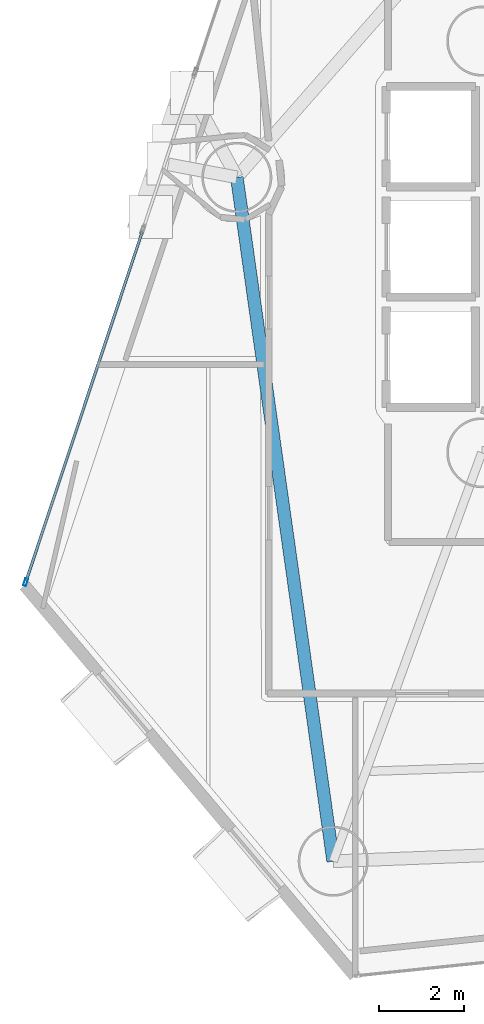
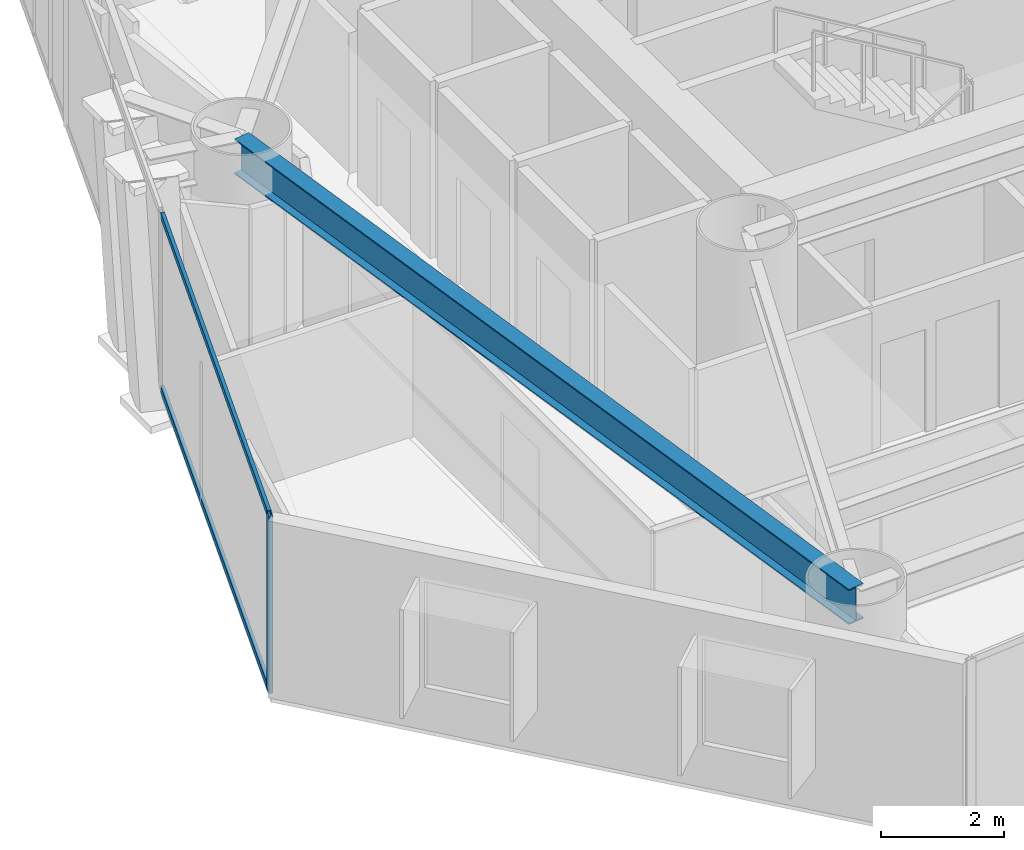
# One storey, part 4 of 23: 3 members, 1 beam, 1 element without a shape of its own.
"""IFC4 building model written with IfcOpenShell, lengths in metres."""

from ifc_helpers import new_model, si_unit, direction, frame, origin, origin_2d, place, context, subcontext, project, spatial, hollow_rectangle, i_section, extrude, material, layer, layer_set, material_profile, profile_set, type_object, element, aggregate, save


model = new_model("IFC4")

# Units and contexts
model_context = context("Model", 3, precision=1e-05, world=origin(), true_north=direction((0.0, 1.0)))
body_context = subcontext(model_context, "Body", "Model", "MODEL_VIEW")
ifc_project = project(units=[si_unit("LENGTHUNIT", "METRE"), si_unit("AREAUNIT", "SQUARE_METRE"), si_unit("VOLUMEUNIT", "CUBIC_METRE"), si_unit("PLANEANGLEUNIT", "RADIAN"), si_unit("MASSUNIT", "GRAM", prefix="KILO")], contexts=[model_context])

# Site, building, storey
site_placement = place(None, origin())
site = spatial("IfcSite", under=ifc_project, at=site_placement, CompositionType="ELEMENT")
building_placement = place(site_placement, origin())
building = spatial("IfcBuilding", under=site, at=building_placement, Name="Qianvela Tower", CompositionType="ELEMENT")
storey_placement = place(building_placement, frame((0.0, 0.0, 67.300048828125)))
storey = spatial("IfcBuildingStorey", under=building, at=storey_placement, Name="L16", CompositionType="ELEMENT", Elevation=67.300048828125)

# Beam
ifc_material_1 = material(Name="Steel Q355B", Category="steel")
ifc_material_profile_1 = material_profile(ifc_material_1, i_section(OverallWidth=0.300048828125, OverallDepth=0.699951171875, WebThickness=0.012939453125, FlangeThickness=0.02392578125, at=origin_2d()), Name="HN700x300x13x24")
ifc_profile_set_1 = profile_set([ifc_material_profile_1], Name="Steel Q355B")
beam_type = type_object("IfcBeamType", Name="BM-HN700-SPAND", PredefinedType="SPANDREL", material=ifc_profile_set_1)
beam_placement = place(storey_placement, frame((22.8291015625, 30.340087890625, 3.16796875), z_axis=(0.139545592864, -0.990215646974, 0.0), x_axis=(0.990215646974, 0.139545592864, 0.0)))
element("IfcBeam", 1, at=beam_placement, inside=storey, type_object=beam_type, Name="L16 Perimeter Ring Spandrel Girder 4", PredefinedType="SPANDREL", context=body_context, shape_type="SweptSolid", body=[
    extrude(i_section(OverallWidth=0.300048828125, OverallDepth=0.699951171875, WebThickness=0.012939453125, FlangeThickness=0.02392578125, at=origin_2d()), origin(), (0.0, 0.0, 1.0), 16.274169921875),
])

# Curtain wall, members
ifc_material_2 = material(Name="Anodised Architectural Aluminium and Low-E Glass", Category="aluminium")
ifc_layer = layer(ifc_material_2, 0.179931640625)
ifc_layer_set = layer_set([ifc_layer], Name="Anodised Architectural Aluminium and Low-E Glass")
curtain_wall_type = type_object("IfcCurtainWallType", Name="CW-COLIV-Z12", PredefinedType="USERDEFINED", material=ifc_layer_set)
curtain_wall_placement = place(storey_placement, origin())
curtain_wall = element("IfcCurtainWall", 2, at=curtain_wall_placement, inside=storey, type_object=curtain_wall_type, Name="L16 CW-COLIV-Z12 Curtain Wall 04C", ObjectType="CURTAIN_WALL_SYSTEM", PredefinedType="USERDEFINED")
ifc_material_3 = material(Name="Anodised Architectural Aluminium 6063-T6", Category="aluminium")
ifc_material_profile_2 = material_profile(ifc_material_3, hollow_rectangle(XDim=0.070068359375, YDim=0.179931640625, WallThickness=0.0048828125, at=origin_2d()), Name="ALU-MULL-70x180")
ifc_profile_set_2 = profile_set([ifc_material_profile_2], Name="Anodised Architectural Aluminium 6063-T6")
member_type_1 = type_object("IfcMemberType", Name="CW-COLIV-Z12-MULL", PredefinedType="MULLION", material=ifc_profile_set_2)
member_1_placement = place(storey_placement, frame((17.85400390625, 20.80078125, 0.0), z_axis=(0.0, 0.0, 1.0), x_axis=(0.948877233383, -0.315645364243, 0.0)))
member_1 = element("IfcMember", 3, at=member_1_placement, type_object=member_type_1, Name="CW-3 mullion 2", PredefinedType="MULLION", context=body_context, shape_type="SweptSolid", body=[
    extrude(hollow_rectangle(XDim=0.070068359375, YDim=0.179931640625, WallThickness=0.0048828125, at=origin_2d()), origin(), (0.0, 0.0, 1.0), 3.52001953125),
])
ifc_material_4 = material(Name="Anodised Architectural Aluminium 6063-T6", Category="aluminium")
ifc_material_profile_3 = material_profile(ifc_material_4, hollow_rectangle(XDim=0.06494140625, YDim=0.1298828125, WallThickness=0.00439453125, at=origin_2d()), Name="ALU-TRAN-65x130")
ifc_profile_set_3 = profile_set([ifc_material_profile_3], Name="Anodised Architectural Aluminium 6063-T6")
member_type_2 = type_object("IfcMemberType", Name="CW-COLIV-Z12-TRAN", PredefinedType="USERDEFINED", material=ifc_profile_set_3)
member_2_placement = place(storey_placement, frame((20.6015625, 29.06005859375, 0.032470703125), z_axis=(-0.315661664633, -0.948871810879, 0.0), x_axis=(0.948871810879, -0.315661664633, 0.0)))
member_2 = element("IfcMember", 4, at=member_2_placement, type_object=member_type_2, Name="CW-3 transom 1.1", ObjectType="TRANSOM", PredefinedType="USERDEFINED", context=body_context, shape_type="SweptSolid", body=[
    extrude(hollow_rectangle(XDim=0.06494140625, YDim=0.1298828125, WallThickness=0.00439453125, at=origin_2d()), origin(), (0.0, 0.0, 1.0), 8.66943359375),
])
member_3_placement = place(storey_placement, frame((20.6015625, 29.06005859375, 3.487548828125), z_axis=(-0.315661664633, -0.948871810879, 0.0), x_axis=(0.948871810879, -0.315661664633, 0.0)))
member_3 = element("IfcMember", 5, at=member_3_placement, type_object=member_type_2, Name="CW-3 transom 1.2", ObjectType="TRANSOM", PredefinedType="USERDEFINED", context=body_context, shape_type="SweptSolid", body=[
    extrude(hollow_rectangle(XDim=0.06494140625, YDim=0.1298828125, WallThickness=0.00439453125, at=origin_2d()), origin(), (0.0, 0.0, 1.0), 8.66943359375),
])
aggregate(curtain_wall, [member_1, member_2, member_3])

save(model, "model.ifc")
